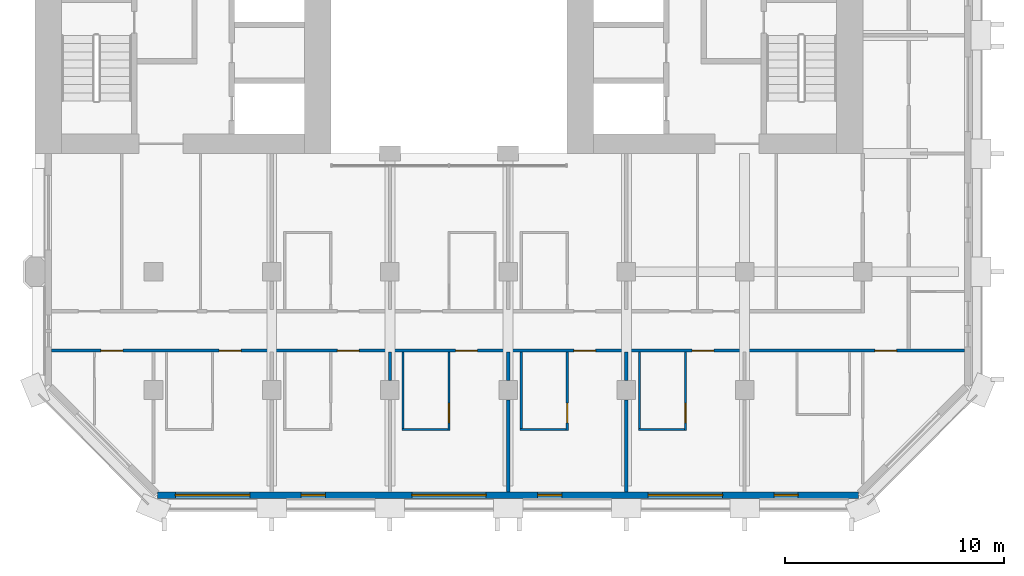
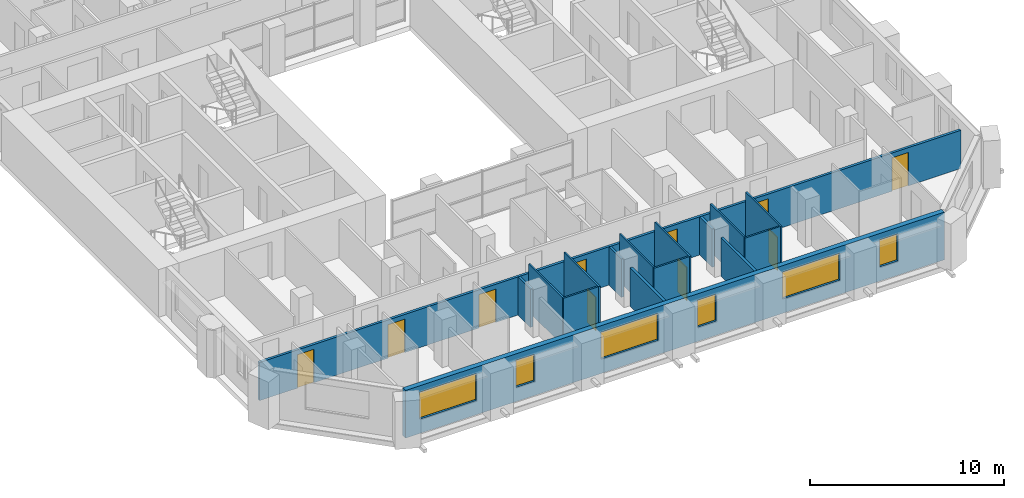
# One storey, part 6 of 13: 16 walls, 10 doors, 6 windows, 16 openings.
"""IFC4 building model written with IfcOpenShell, lengths in metres."""

from ifc_helpers import new_model, si_unit, direction, frame, frame_2d, origin, place, context, subcontext, project, spatial, rectangle, extrude, material, layer, layer_set, type_object, element, fill, save


model = new_model("IFC4")

# Units and contexts
model_context = context("Model", 3, precision=1e-05, world=origin(), true_north=direction((0.0, 1.0)))
body_context = subcontext(model_context, "Body", "Model", "MODEL_VIEW")
ifc_project = project(units=[si_unit("LENGTHUNIT", "METRE"), si_unit("AREAUNIT", "SQUARE_METRE"), si_unit("VOLUMEUNIT", "CUBIC_METRE"), si_unit("PLANEANGLEUNIT", "RADIAN"), si_unit("MASSUNIT", "GRAM", prefix="KILO")], contexts=[model_context])

# Site, building, storey
site_placement = place(None, origin())
site = spatial("IfcSite", under=ifc_project, at=site_placement, CompositionType="ELEMENT")
building_placement = place(site_placement, origin())
building = spatial("IfcBuilding", under=site, at=building_placement, Name="Tabaq Tower and Sports Hall", CompositionType="ELEMENT")
storey_placement = place(building_placement, frame((0.0, 0.0, 159.39990234375)))
storey = spatial("IfcBuildingStorey", under=building, at=storey_placement, Name="L37", CompositionType="ELEMENT", Elevation=159.39990234375)

# Wall, opening, door
ifc_material_1 = material(Name="Gypsum board on steel studs", Category="steel")
ifc_layer_1 = layer(ifc_material_1, 0.10009765625)
ifc_layer_set_1 = layer_set([ifc_layer_1], Name="Partition 100 Gypsum board")
wall_type_1 = type_object("IfcWallType", Name="Partition 100 Gypsum board", PredefinedType="PARTITIONING", material=ifc_layer_set_1)
wall_1_placement = place(storey_placement, frame((24.300048828125, 7.125, 0.0), z_axis=(0.0, 0.0, 1.0), x_axis=(0.0, -1.0, 0.0)))
wall_1 = element("IfcWall", 1, at=wall_1_placement, inside=storey, type_object=wall_type_1, Name="Partition wall L37", PredefinedType="PARTITIONING", context=body_context, shape_type="SweptSolid", body=[
    extrude(rectangle(XDim=3.574951171875, YDim=0.10009765625, at=frame_2d((1.78759765625, 0.0))), origin(), (0.0, 0.0, 1.0), 3.0),
])
opening_1_placement = place(wall_1_placement, frame((2.324951171875, 0.0, 0.0)))
opening_1 = element("IfcOpeningElement", 2, at=opening_1_placement, cuts=wall_1, Name="Opening L37-021", PredefinedType="OPENING", context=body_context, shape_type="SweptSolid", body=[
    extrude(rectangle(XDim=0.89990234375, YDim=2.10009765625, at=frame_2d((0.449951171875, 1.050048828125))), frame((0.0, 0.050048828125, 0.0), z_axis=(0.0, -1.0, 0.0), x_axis=(1.0, 0.0, 0.0)), (0.0, 0.0, 1.0), 0.10009765625),
])
ifc_material_2 = material(Name="Timber leaf in steel frame", Category="steel")
door_type_1 = type_object("IfcDoorType", Name="Internal door 900 right hand", OperationType="SINGLE_SWING_RIGHT", PredefinedType="DOOR", material=ifc_material_2)
door_1_placement = place(opening_1_placement, origin())
door_1 = element("IfcDoor", 3, at=door_1_placement, inside=storey, type_object=door_type_1, Name="Internal door L37-021", OperationType="SINGLE_SWING_RIGHT", OverallHeight=2.10009765625, OverallWidth=0.89990234375, PredefinedType="DOOR", context=body_context, shape_type="SweptSolid", body=[
    extrude(rectangle(XDim=0.89990234375, YDim=2.10009765625, at=frame_2d((0.449951171875, 1.050048828125))), frame((0.0, 0.02490234375, 0.0), z_axis=(0.0, -1.0, 0.0), x_axis=(1.0, 0.0, 0.0)), (0.0, 0.0, 1.0), 0.050048828125),
])
fill(opening_1, door_1)

# Walls
wall_2_placement = place(storey_placement, frame((24.25, 3.60009765625, 0.0), z_axis=(0.0, 0.0, 1.0), x_axis=(-1.0, 0.0, 0.0)))
element("IfcWall", 4, at=wall_2_placement, inside=storey, type_object=wall_type_1, Name="Partition wall L37", PredefinedType="PARTITIONING", context=body_context, shape_type="SweptSolid", body=[
    extrude(rectangle(XDim=2.10009765625, YDim=0.10009765625, at=frame_2d((1.050048828125, 0.0))), origin(), (0.0, 0.0, 1.0), 3.0),
])
wall_3_placement = place(storey_placement, frame((22.199951171875, 3.64990234375, 0.0), z_axis=(0.0, 0.0, 1.0), x_axis=(0.0, 1.0, 0.0)))
element("IfcWall", 5, at=wall_3_placement, inside=storey, type_object=wall_type_1, Name="Partition wall L37", PredefinedType="PARTITIONING", context=body_context, shape_type="SweptSolid", body=[
    extrude(rectangle(XDim=3.47509765625, YDim=0.10009765625, at=frame_2d((1.737548828125, 0.0))), origin(), (0.0, 0.0, 1.0), 3.0),
])

# Wall, opening, door
wall_4_placement = place(storey_placement, frame((29.699951171875, 7.125, 0.0), z_axis=(0.0, 0.0, 1.0), x_axis=(0.0, -1.0, 0.0)))
wall_4 = element("IfcWall", 6, at=wall_4_placement, inside=storey, type_object=wall_type_1, Name="Partition wall L37", PredefinedType="PARTITIONING", context=body_context, shape_type="SweptSolid", body=[
    extrude(rectangle(XDim=3.574951171875, YDim=0.10009765625, at=frame_2d((1.78759765625, 0.0))), origin(), (0.0, 0.0, 1.0), 3.0),
])
opening_2_placement = place(wall_4_placement, frame((2.324951171875, 0.0, 0.0)))
opening_2 = element("IfcOpeningElement", 7, at=opening_2_placement, cuts=wall_4, Name="Opening L37-022", PredefinedType="OPENING", context=body_context, shape_type="SweptSolid", body=[
    extrude(rectangle(XDim=0.89990234375, YDim=2.10009765625, at=frame_2d((0.449951171875, 1.050048828125))), frame((0.0, 0.050048828125, 0.0), z_axis=(0.0, -1.0, 0.0), x_axis=(1.0, 0.0, 0.0)), (0.0, 0.0, 1.0), 0.10009765625),
])
ifc_material_3 = material(Name="Timber leaf in steel frame", Category="steel")
door_type_2 = type_object("IfcDoorType", Name="Internal door 900 left hand", OperationType="SINGLE_SWING_LEFT", PredefinedType="DOOR", material=ifc_material_3)
door_2_placement = place(opening_2_placement, origin())
door_2 = element("IfcDoor", 8, at=door_2_placement, inside=storey, type_object=door_type_2, Name="Internal door L37-022", OperationType="SINGLE_SWING_LEFT", OverallHeight=2.10009765625, OverallWidth=0.89990234375, PredefinedType="DOOR", context=body_context, shape_type="SweptSolid", body=[
    extrude(rectangle(XDim=0.89990234375, YDim=2.10009765625, at=frame_2d((0.449951171875, 1.050048828125))), frame((0.0, 0.02490234375, 0.0), z_axis=(0.0, -1.0, 0.0), x_axis=(1.0, 0.0, 0.0)), (0.0, 0.0, 1.0), 0.050048828125),
])
fill(opening_2, door_2)

# Walls
wall_5_placement = place(storey_placement, frame((29.64990234375, 3.60009765625, 0.0), z_axis=(0.0, 0.0, 1.0), x_axis=(-1.0, 0.0, 0.0)))
element("IfcWall", 9, at=wall_5_placement, inside=storey, type_object=wall_type_1, Name="Partition wall L37", PredefinedType="PARTITIONING", context=body_context, shape_type="SweptSolid", body=[
    extrude(rectangle(XDim=2.099853515625, YDim=0.10009765625, at=frame_2d((1.0498046875, 0.0))), origin(), (0.0, 0.0, 1.0), 3.0),
])
wall_6_placement = place(storey_placement, frame((27.60009765625, 3.64990234375, 0.0), z_axis=(0.0, 0.0, 1.0), x_axis=(0.0, 1.0, 0.0)))
element("IfcWall", 10, at=wall_6_placement, inside=storey, type_object=wall_type_1, Name="Partition wall L37", PredefinedType="PARTITIONING", context=body_context, shape_type="SweptSolid", body=[
    extrude(rectangle(XDim=3.47509765625, YDim=0.10009765625, at=frame_2d((1.737548828125, 0.0))), origin(), (0.0, 0.0, 1.0), 3.0),
])

# Wall, opening, door
wall_7_placement = place(storey_placement, frame((35.10009765625, 7.125, 0.0), z_axis=(0.0, 0.0, 1.0), x_axis=(0.0, -1.0, 0.0)))
wall_7 = element("IfcWall", 11, at=wall_7_placement, inside=storey, type_object=wall_type_1, Name="Partition wall L37", PredefinedType="PARTITIONING", context=body_context, shape_type="SweptSolid", body=[
    extrude(rectangle(XDim=3.574951171875, YDim=0.10009765625, at=frame_2d((1.78759765625, 0.0))), origin(), (0.0, 0.0, 1.0), 3.0),
])
opening_3_placement = place(wall_7_placement, frame((2.324951171875, 0.0, 0.0)))
opening_3 = element("IfcOpeningElement", 12, at=opening_3_placement, cuts=wall_7, Name="Opening L37-023", PredefinedType="OPENING", context=body_context, shape_type="SweptSolid", body=[
    extrude(rectangle(XDim=0.89990234375, YDim=2.10009765625, at=frame_2d((0.449951171875, 1.050048828125))), frame((0.0, 0.050048828125, 0.0), z_axis=(0.0, -1.0, 0.0), x_axis=(1.0, 0.0, 0.0)), (0.0, 0.0, 1.0), 0.10009765625),
])
door_3_placement = place(opening_3_placement, origin())
door_3 = element("IfcDoor", 13, at=door_3_placement, inside=storey, type_object=door_type_2, Name="Internal door L37-023", OperationType="SINGLE_SWING_LEFT", OverallHeight=2.10009765625, OverallWidth=0.89990234375, PredefinedType="DOOR", context=body_context, shape_type="SweptSolid", body=[
    extrude(rectangle(XDim=0.89990234375, YDim=2.10009765625, at=frame_2d((0.449951171875, 1.050048828125))), frame((0.0, 0.02490234375, 0.0), z_axis=(0.0, -1.0, 0.0), x_axis=(1.0, 0.0, 0.0)), (0.0, 0.0, 1.0), 0.050048828125),
])
fill(opening_3, door_3)

# Walls
wall_8_placement = place(storey_placement, frame((35.050048828125, 3.60009765625, 0.0), z_axis=(0.0, 0.0, 1.0), x_axis=(-1.0, 0.0, 0.0)))
element("IfcWall", 14, at=wall_8_placement, inside=storey, type_object=wall_type_1, Name="Partition wall L37", PredefinedType="PARTITIONING", context=body_context, shape_type="SweptSolid", body=[
    extrude(rectangle(XDim=2.10009765625, YDim=0.10009765625, at=frame_2d((1.050048828125, 0.0))), origin(), (0.0, 0.0, 1.0), 3.0),
])
wall_9_placement = place(storey_placement, frame((33.0, 3.64990234375, 0.0), z_axis=(0.0, 0.0, 1.0), x_axis=(0.0, 1.0, 0.0)))
element("IfcWall", 15, at=wall_9_placement, inside=storey, type_object=wall_type_1, Name="Partition wall L37", PredefinedType="PARTITIONING", context=body_context, shape_type="SweptSolid", body=[
    extrude(rectangle(XDim=3.47509765625, YDim=0.10009765625, at=frame_2d((1.737548828125, 0.0))), origin(), (0.0, 0.0, 1.0), 3.0),
])
ifc_material_4 = material(Name="Blockwork", Category="masonry")
ifc_layer_2 = layer(ifc_material_4, 0.14990234375)
ifc_layer_set_2 = layer_set([ifc_layer_2], Name="Separating wall 150 Blockwork")
wall_type_2 = type_object("IfcWallType", Name="Separating wall 150 Blockwork", PredefinedType="PARTITIONING", material=ifc_layer_set_2)
wall_10_placement = place(storey_placement, frame((21.60009765625, 5.844970703125, 0.0), z_axis=(0.0, 0.0, 1.0), x_axis=(0.0, 1.0, 0.0)))
element("IfcWall", 16, at=wall_10_placement, inside=storey, type_object=wall_type_2, Name="Separating wall L37", PredefinedType="PARTITIONING", context=body_context, shape_type="SweptSolid", body=[
    extrude(rectangle(XDim=1.280029296875, YDim=0.14990234375, at=frame_2d((0.64013671875, 0.0))), origin(), (0.0, 0.0, 1.0), 2.400146484375),
])
wall_11_placement = place(storey_placement, frame((27.0, 0.7509765625, 0.0), z_axis=(0.0, 0.0, 1.0), x_axis=(0.0, 1.0, 0.0)))
element("IfcWall", 17, at=wall_11_placement, inside=storey, type_object=wall_type_2, Name="Separating wall L37", PredefinedType="PARTITIONING", context=body_context, shape_type="SweptSolid", body=[
    extrude(rectangle(XDim=4.2041015625, YDim=0.14990234375, at=frame_2d((2.10205078125, 0.0))), origin(), (0.0, 0.0, 1.0), 2.400146484375),
])
wall_12_placement = place(storey_placement, frame((27.0, 5.844970703125, 0.0), z_axis=(0.0, 0.0, 1.0), x_axis=(0.0, 1.0, 0.0)))
element("IfcWall", 18, at=wall_12_placement, inside=storey, type_object=wall_type_2, Name="Separating wall L37", PredefinedType="PARTITIONING", context=body_context, shape_type="SweptSolid", body=[
    extrude(rectangle(XDim=1.280029296875, YDim=0.14990234375, at=frame_2d((0.64013671875, 0.0))), origin(), (0.0, 0.0, 1.0), 2.400146484375),
])
wall_13_placement = place(storey_placement, frame((32.39990234375, 0.7509765625, 0.0), z_axis=(0.0, 0.0, 1.0), x_axis=(0.0, 1.0, 0.0)))
element("IfcWall", 19, at=wall_13_placement, inside=storey, type_object=wall_type_2, Name="Separating wall L37", PredefinedType="PARTITIONING", context=body_context, shape_type="SweptSolid", body=[
    extrude(rectangle(XDim=4.2041015625, YDim=0.14990234375, at=frame_2d((2.10205078125, 0.0))), origin(), (0.0, 0.0, 1.0), 2.400146484375),
])
wall_14_placement = place(storey_placement, frame((32.39990234375, 5.844970703125, 0.0), z_axis=(0.0, 0.0, 1.0), x_axis=(0.0, 1.0, 0.0)))
element("IfcWall", 20, at=wall_14_placement, inside=storey, type_object=wall_type_2, Name="Separating wall L37", PredefinedType="PARTITIONING", context=body_context, shape_type="SweptSolid", body=[
    extrude(rectangle(XDim=1.280029296875, YDim=0.14990234375, at=frame_2d((0.64013671875, 0.0))), origin(), (0.0, 0.0, 1.0), 2.400146484375),
])

# Wall, openings, doors
wall_15_placement = place(storey_placement, frame((6.15087890625, 7.199951171875, 0.0), z_axis=(0.0, 0.0, 1.0), x_axis=(1.0, 0.0, 0.0)))
wall_15 = element("IfcWall", 21, at=wall_15_placement, inside=storey, type_object=wall_type_2, Name="Separating wall L37", PredefinedType="PARTITIONING", context=body_context, shape_type="SweptSolid", body=[
    extrude(rectangle(XDim=41.6982421875, YDim=0.14990234375, at=frame_2d((20.84912109375, 0.0))), origin(), (0.0, 0.0, 1.0), 2.400146484375),
])
opening_4_placement = place(wall_15_placement, frame((2.2490234375, 0.0, 0.0)))
opening_4 = element("IfcOpeningElement", 22, at=opening_4_placement, cuts=wall_15, Name="Opening L37-045", PredefinedType="OPENING", context=body_context, shape_type="SweptSolid", body=[
    extrude(rectangle(XDim=1.0, YDim=2.10009765625, at=frame_2d((0.5, 1.050048828125))), frame((0.0, 0.074951171875, 0.0), z_axis=(0.0, -1.0, 0.0), x_axis=(1.0, 0.0, 0.0)), (0.0, 0.0, 1.0), 0.14990234375),
])
opening_5_placement = place(wall_15_placement, frame((7.64892578125, 0.0, 0.0)))
opening_5 = element("IfcOpeningElement", 23, at=opening_5_placement, cuts=wall_15, Name="Opening L37-046", PredefinedType="OPENING", context=body_context, shape_type="SweptSolid", body=[
    extrude(rectangle(XDim=1.0, YDim=2.10009765625, at=frame_2d((0.5, 1.050048828125))), frame((0.0, 0.074951171875, 0.0), z_axis=(0.0, -1.0, 0.0), x_axis=(1.0, 0.0, 0.0)), (0.0, 0.0, 1.0), 0.14990234375),
])
opening_6_placement = place(wall_15_placement, frame((13.049072265625, 0.0, 0.0)))
opening_6 = element("IfcOpeningElement", 24, at=opening_6_placement, cuts=wall_15, Name="Opening L37-047", PredefinedType="OPENING", context=body_context, shape_type="SweptSolid", body=[
    extrude(rectangle(XDim=1.0, YDim=2.10009765625, at=frame_2d((0.5, 1.050048828125))), frame((0.0, 0.074951171875, 0.0), z_axis=(0.0, -1.0, 0.0), x_axis=(1.0, 0.0, 0.0)), (0.0, 0.0, 1.0), 0.14990234375),
])
opening_7_placement = place(wall_15_placement, frame((18.448974609375, 0.0, 0.0)))
opening_7 = element("IfcOpeningElement", 25, at=opening_7_placement, cuts=wall_15, Name="Opening L37-048", PredefinedType="OPENING", context=body_context, shape_type="SweptSolid", body=[
    extrude(rectangle(XDim=1.0, YDim=2.10009765625, at=frame_2d((0.5, 1.050048828125))), frame((0.0, 0.074951171875, 0.0), z_axis=(0.0, -1.0, 0.0), x_axis=(1.0, 0.0, 0.0)), (0.0, 0.0, 1.0), 0.14990234375),
])
opening_8_placement = place(wall_15_placement, frame((23.84912109375, 0.0, 0.0)))
opening_8 = element("IfcOpeningElement", 26, at=opening_8_placement, cuts=wall_15, Name="Opening L37-049", PredefinedType="OPENING", context=body_context, shape_type="SweptSolid", body=[
    extrude(rectangle(XDim=1.0, YDim=2.10009765625, at=frame_2d((0.5, 1.050048828125))), frame((0.0, 0.074951171875, 0.0), z_axis=(0.0, -1.0, 0.0), x_axis=(1.0, 0.0, 0.0)), (0.0, 0.0, 1.0), 0.14990234375),
])
opening_9_placement = place(wall_15_placement, frame((29.2490234375, 0.0, 0.0)))
opening_9 = element("IfcOpeningElement", 27, at=opening_9_placement, cuts=wall_15, Name="Opening L37-050", PredefinedType="OPENING", context=body_context, shape_type="SweptSolid", body=[
    extrude(rectangle(XDim=1.0, YDim=2.10009765625, at=frame_2d((0.5, 1.050048828125))), frame((0.0, 0.074951171875, 0.0), z_axis=(0.0, -1.0, 0.0), x_axis=(1.0, 0.0, 0.0)), (0.0, 0.0, 1.0), 0.14990234375),
])
opening_10_placement = place(wall_15_placement, frame((37.59912109375, 0.0, 0.0)))
opening_10 = element("IfcOpeningElement", 28, at=opening_10_placement, cuts=wall_15, Name="Opening L37-052", PredefinedType="OPENING", context=body_context, shape_type="SweptSolid", body=[
    extrude(rectangle(XDim=1.0, YDim=2.10009765625, at=frame_2d((0.5, 1.050048828125))), frame((0.0, 0.074951171875, 0.0), z_axis=(0.0, -1.0, 0.0), x_axis=(1.0, 0.0, 0.0)), (0.0, 0.0, 1.0), 0.14990234375),
])
ifc_material_5 = material(Name="Steel fire door", Category="steel")
door_type_3 = type_object("IfcDoorType", Name="Entrance door 1000 left hand", OperationType="SINGLE_SWING_LEFT", PredefinedType="DOOR", material=ifc_material_5)
door_4_placement = place(opening_4_placement, origin())
door_4 = element("IfcDoor", 29, at=door_4_placement, inside=storey, type_object=door_type_3, Name="Entrance door L37-045", OperationType="SINGLE_SWING_LEFT", OverallHeight=2.10009765625, OverallWidth=1.0, PredefinedType="DOOR", context=body_context, shape_type="SweptSolid", body=[
    extrude(rectangle(XDim=1.0, YDim=2.10009765625, at=frame_2d((0.5, 1.050048828125))), frame((0.0, 0.02490234375, 0.0), z_axis=(0.0, -1.0, 0.0), x_axis=(1.0, 0.0, 0.0)), (0.0, 0.0, 1.0), 0.050048828125),
])
fill(opening_4, door_4)
door_5_placement = place(opening_7_placement, origin())
door_5 = element("IfcDoor", 30, at=door_5_placement, inside=storey, type_object=door_type_3, Name="Entrance door L37-048", OperationType="SINGLE_SWING_LEFT", OverallHeight=2.10009765625, OverallWidth=1.0, PredefinedType="DOOR", context=body_context, shape_type="SweptSolid", body=[
    extrude(rectangle(XDim=1.0, YDim=2.10009765625, at=frame_2d((0.5, 1.050048828125))), frame((0.0, 0.02490234375, 0.0), z_axis=(0.0, -1.0, 0.0), x_axis=(1.0, 0.0, 0.0)), (0.0, 0.0, 1.0), 0.050048828125),
])
fill(opening_7, door_5)
door_6_placement = place(opening_8_placement, origin())
door_6 = element("IfcDoor", 31, at=door_6_placement, inside=storey, type_object=door_type_3, Name="Entrance door L37-049", OperationType="SINGLE_SWING_LEFT", OverallHeight=2.10009765625, OverallWidth=1.0, PredefinedType="DOOR", context=body_context, shape_type="SweptSolid", body=[
    extrude(rectangle(XDim=1.0, YDim=2.10009765625, at=frame_2d((0.5, 1.050048828125))), frame((0.0, 0.02490234375, 0.0), z_axis=(0.0, -1.0, 0.0), x_axis=(1.0, 0.0, 0.0)), (0.0, 0.0, 1.0), 0.050048828125),
])
fill(opening_8, door_6)
door_7_placement = place(opening_10_placement, origin())
door_7 = element("IfcDoor", 32, at=door_7_placement, inside=storey, type_object=door_type_3, Name="Entrance door L37-052", OperationType="SINGLE_SWING_LEFT", OverallHeight=2.10009765625, OverallWidth=1.0, PredefinedType="DOOR", context=body_context, shape_type="SweptSolid", body=[
    extrude(rectangle(XDim=1.0, YDim=2.10009765625, at=frame_2d((0.5, 1.050048828125))), frame((0.0, 0.02490234375, 0.0), z_axis=(0.0, -1.0, 0.0), x_axis=(1.0, 0.0, 0.0)), (0.0, 0.0, 1.0), 0.050048828125),
])
fill(opening_10, door_7)
ifc_material_6 = material(Name="Steel fire door", Category="steel")
door_type_4 = type_object("IfcDoorType", Name="Entrance door 1000 right hand", OperationType="SINGLE_SWING_RIGHT", PredefinedType="DOOR", material=ifc_material_6)
door_8_placement = place(opening_5_placement, origin())
door_8 = element("IfcDoor", 33, at=door_8_placement, inside=storey, type_object=door_type_4, Name="Entrance door L37-046", OperationType="SINGLE_SWING_RIGHT", OverallHeight=2.10009765625, OverallWidth=1.0, PredefinedType="DOOR", context=body_context, shape_type="SweptSolid", body=[
    extrude(rectangle(XDim=1.0, YDim=2.10009765625, at=frame_2d((0.5, 1.050048828125))), frame((0.0, 0.02490234375, 0.0), z_axis=(0.0, -1.0, 0.0), x_axis=(1.0, 0.0, 0.0)), (0.0, 0.0, 1.0), 0.050048828125),
])
fill(opening_5, door_8)
door_9_placement = place(opening_6_placement, origin())
door_9 = element("IfcDoor", 34, at=door_9_placement, inside=storey, type_object=door_type_4, Name="Entrance door L37-047", OperationType="SINGLE_SWING_RIGHT", OverallHeight=2.10009765625, OverallWidth=1.0, PredefinedType="DOOR", context=body_context, shape_type="SweptSolid", body=[
    extrude(rectangle(XDim=1.0, YDim=2.10009765625, at=frame_2d((0.5, 1.050048828125))), frame((0.0, 0.02490234375, 0.0), z_axis=(0.0, -1.0, 0.0), x_axis=(1.0, 0.0, 0.0)), (0.0, 0.0, 1.0), 0.050048828125),
])
fill(opening_6, door_9)
door_10_placement = place(opening_9_placement, origin())
door_10 = element("IfcDoor", 35, at=door_10_placement, inside=storey, type_object=door_type_4, Name="Entrance door L37-050", OperationType="SINGLE_SWING_RIGHT", OverallHeight=2.10009765625, OverallWidth=1.0, PredefinedType="DOOR", context=body_context, shape_type="SweptSolid", body=[
    extrude(rectangle(XDim=1.0, YDim=2.10009765625, at=frame_2d((0.5, 1.050048828125))), frame((0.0, 0.02490234375, 0.0), z_axis=(0.0, -1.0, 0.0), x_axis=(1.0, 0.0, 0.0)), (0.0, 0.0, 1.0), 0.050048828125),
])
fill(opening_9, door_10)

# Wall, openings, windows
ifc_material_7 = material(Name="White precast concrete C60/75", Category="concrete")
ifc_layer_3 = layer(ifc_material_7, 0.300048828125)
ifc_layer_set_3 = layer_set([ifc_layer_3], Name="White precast concrete C60/75 external wall 300")
wall_type_3 = type_object("IfcWallType", Name="White precast concrete C60/75 external wall 300", PredefinedType="SOLIDWALL", material=ifc_layer_set_3)
wall_16_placement = place(storey_placement, frame((10.986328125, 0.60009765625, 0.0), z_axis=(0.0, 0.0, 1.0), x_axis=(1.0, 0.0, 0.0)))
wall_16 = element("IfcWall", 36, at=wall_16_placement, inside=storey, type_object=wall_type_3, Name="External Wall L37 S", PredefinedType="SOLIDWALL", context=body_context, shape_type="SweptSolid", body=[
    extrude(rectangle(XDim=32.02734375, YDim=0.300048828125, at=frame_2d((16.013671875, 0.0))), origin(), (0.0, 0.0, 1.0), 3.0),
])
opening_11_placement = place(wall_16_placement, frame((0.813720703125, 0.0, 0.89990234375)))
opening_11 = element("IfcOpeningElement", 37, at=opening_11_placement, cuts=wall_16, Name="Opening W1A", PredefinedType="OPENING", context=body_context, shape_type="SweptSolid", body=[
    extrude(rectangle(XDim=3.39990234375, YDim=1.699951171875, at=frame_2d((1.699951171875, 0.85009765625))), frame((0.0, 0.16015625, 0.0), z_axis=(0.0, -1.0, 0.0), x_axis=(1.0, 0.0, 0.0)), (0.0, 0.0, 1.0), 0.320068359375),
])
opening_12_placement = place(wall_16_placement, frame((6.563720703125, 0.0, 0.89990234375)))
opening_12 = element("IfcOpeningElement", 38, at=opening_12_placement, cuts=wall_16, Name="Opening W1B", PredefinedType="OPENING", context=body_context, shape_type="SweptSolid", body=[
    extrude(rectangle(XDim=1.10009765625, YDim=1.699951171875, at=frame_2d((0.550048828125, 0.85009765625))), frame((0.0, 0.16015625, 0.0), z_axis=(0.0, -1.0, 0.0), x_axis=(1.0, 0.0, 0.0)), (0.0, 0.0, 1.0), 0.320068359375),
])
opening_13_placement = place(wall_16_placement, frame((11.613525390625, 0.0, 0.89990234375)))
opening_13 = element("IfcOpeningElement", 39, at=opening_13_placement, cuts=wall_16, Name="Opening W1A", PredefinedType="OPENING", context=body_context, shape_type="SweptSolid", body=[
    extrude(rectangle(XDim=3.39990234375, YDim=1.699951171875, at=frame_2d((1.699951171875, 0.85009765625))), frame((0.0, 0.16015625, 0.0), z_axis=(0.0, -1.0, 0.0), x_axis=(1.0, 0.0, 0.0)), (0.0, 0.0, 1.0), 0.320068359375),
])
opening_14_placement = place(wall_16_placement, frame((17.363525390625, 0.0, 0.89990234375)))
opening_14 = element("IfcOpeningElement", 40, at=opening_14_placement, cuts=wall_16, Name="Opening W1B", PredefinedType="OPENING", context=body_context, shape_type="SweptSolid", body=[
    extrude(rectangle(XDim=1.10009765625, YDim=1.699951171875, at=frame_2d((0.550048828125, 0.85009765625))), frame((0.0, 0.16015625, 0.0), z_axis=(0.0, -1.0, 0.0), x_axis=(1.0, 0.0, 0.0)), (0.0, 0.0, 1.0), 0.320068359375),
])
opening_15_placement = place(wall_16_placement, frame((22.41357421875, 0.0, 0.89990234375)))
opening_15 = element("IfcOpeningElement", 41, at=opening_15_placement, cuts=wall_16, Name="Opening W1A", PredefinedType="OPENING", context=body_context, shape_type="SweptSolid", body=[
    extrude(rectangle(XDim=3.39990234375, YDim=1.699951171875, at=frame_2d((1.699951171875, 0.85009765625))), frame((0.0, 0.16015625, 0.0), z_axis=(0.0, -1.0, 0.0), x_axis=(1.0, 0.0, 0.0)), (0.0, 0.0, 1.0), 0.320068359375),
])
opening_16_placement = place(wall_16_placement, frame((28.16357421875, 0.0, 0.89990234375)))
opening_16 = element("IfcOpeningElement", 42, at=opening_16_placement, cuts=wall_16, Name="Opening W1B", PredefinedType="OPENING", context=body_context, shape_type="SweptSolid", body=[
    extrude(rectangle(XDim=1.10009765625, YDim=1.699951171875, at=frame_2d((0.550048828125, 0.85009765625))), frame((0.0, 0.16015625, 0.0), z_axis=(0.0, -1.0, 0.0), x_axis=(1.0, 0.0, 0.0)), (0.0, 0.0, 1.0), 0.320068359375),
])
ifc_material_8 = material(Name="Aluminium framed clear glazing", Category="aluminium")
window_type_1 = type_object("IfcWindowType", Name="Window W1A", PartitioningType="SINGLE_PANEL", PredefinedType="WINDOW", material=ifc_material_8)
window_1_placement = place(opening_11_placement, origin())
window_1 = element("IfcWindow", 43, at=window_1_placement, inside=storey, type_object=window_type_1, Name="Window W1A L37", OverallHeight=1.699951171875, OverallWidth=3.39990234375, PartitioningType="SINGLE_PANEL", PredefinedType="WINDOW", context=body_context, shape_type="SweptSolid", body=[
    extrude(rectangle(XDim=3.39990234375, YDim=1.699951171875, at=frame_2d((1.699951171875, 0.85009765625))), frame((0.0, 0.030029296875, 0.0), z_axis=(0.0, -1.0, 0.0), x_axis=(1.0, 0.0, 0.0)), (0.0, 0.0, 1.0), 0.06005859375),
])
fill(opening_11, window_1)
window_2_placement = place(opening_13_placement, origin())
window_2 = element("IfcWindow", 44, at=window_2_placement, inside=storey, type_object=window_type_1, Name="Window W1A L37", OverallHeight=1.699951171875, OverallWidth=3.39990234375, PartitioningType="SINGLE_PANEL", PredefinedType="WINDOW", context=body_context, shape_type="SweptSolid", body=[
    extrude(rectangle(XDim=3.39990234375, YDim=1.699951171875, at=frame_2d((1.699951171875, 0.85009765625))), frame((0.0, 0.030029296875, 0.0), z_axis=(0.0, -1.0, 0.0), x_axis=(1.0, 0.0, 0.0)), (0.0, 0.0, 1.0), 0.06005859375),
])
fill(opening_13, window_2)
window_3_placement = place(opening_15_placement, origin())
window_3 = element("IfcWindow", 45, at=window_3_placement, inside=storey, type_object=window_type_1, Name="Window W1A L37", OverallHeight=1.699951171875, OverallWidth=3.39990234375, PartitioningType="SINGLE_PANEL", PredefinedType="WINDOW", context=body_context, shape_type="SweptSolid", body=[
    extrude(rectangle(XDim=3.39990234375, YDim=1.699951171875, at=frame_2d((1.699951171875, 0.85009765625))), frame((0.0, 0.030029296875, 0.0), z_axis=(0.0, -1.0, 0.0), x_axis=(1.0, 0.0, 0.0)), (0.0, 0.0, 1.0), 0.06005859375),
])
fill(opening_15, window_3)
ifc_material_9 = material(Name="Aluminium framed clear glazing", Category="aluminium")
window_type_2 = type_object("IfcWindowType", Name="Window W1B", PartitioningType="SINGLE_PANEL", PredefinedType="WINDOW", material=ifc_material_9)
window_4_placement = place(opening_12_placement, origin())
window_4 = element("IfcWindow", 46, at=window_4_placement, inside=storey, type_object=window_type_2, Name="Window W1B L37", OverallHeight=1.699951171875, OverallWidth=1.10009765625, PartitioningType="SINGLE_PANEL", PredefinedType="WINDOW", context=body_context, shape_type="SweptSolid", body=[
    extrude(rectangle(XDim=1.10009765625, YDim=1.699951171875, at=frame_2d((0.550048828125, 0.85009765625))), frame((0.0, 0.030029296875, 0.0), z_axis=(0.0, -1.0, 0.0), x_axis=(1.0, 0.0, 0.0)), (0.0, 0.0, 1.0), 0.06005859375),
])
fill(opening_12, window_4)
window_5_placement = place(opening_14_placement, origin())
window_5 = element("IfcWindow", 47, at=window_5_placement, inside=storey, type_object=window_type_2, Name="Window W1B L37", OverallHeight=1.699951171875, OverallWidth=1.10009765625, PartitioningType="SINGLE_PANEL", PredefinedType="WINDOW", context=body_context, shape_type="SweptSolid", body=[
    extrude(rectangle(XDim=1.10009765625, YDim=1.699951171875, at=frame_2d((0.550048828125, 0.85009765625))), frame((0.0, 0.030029296875, 0.0), z_axis=(0.0, -1.0, 0.0), x_axis=(1.0, 0.0, 0.0)), (0.0, 0.0, 1.0), 0.06005859375),
])
fill(opening_14, window_5)
window_6_placement = place(opening_16_placement, origin())
window_6 = element("IfcWindow", 48, at=window_6_placement, inside=storey, type_object=window_type_2, Name="Window W1B L37", OverallHeight=1.699951171875, OverallWidth=1.10009765625, PartitioningType="SINGLE_PANEL", PredefinedType="WINDOW", context=body_context, shape_type="SweptSolid", body=[
    extrude(rectangle(XDim=1.10009765625, YDim=1.699951171875, at=frame_2d((0.550048828125, 0.85009765625))), frame((0.0, 0.030029296875, 0.0), z_axis=(0.0, -1.0, 0.0), x_axis=(1.0, 0.0, 0.0)), (0.0, 0.0, 1.0), 0.06005859375),
])
fill(opening_16, window_6)

save(model, "model.ifc")
